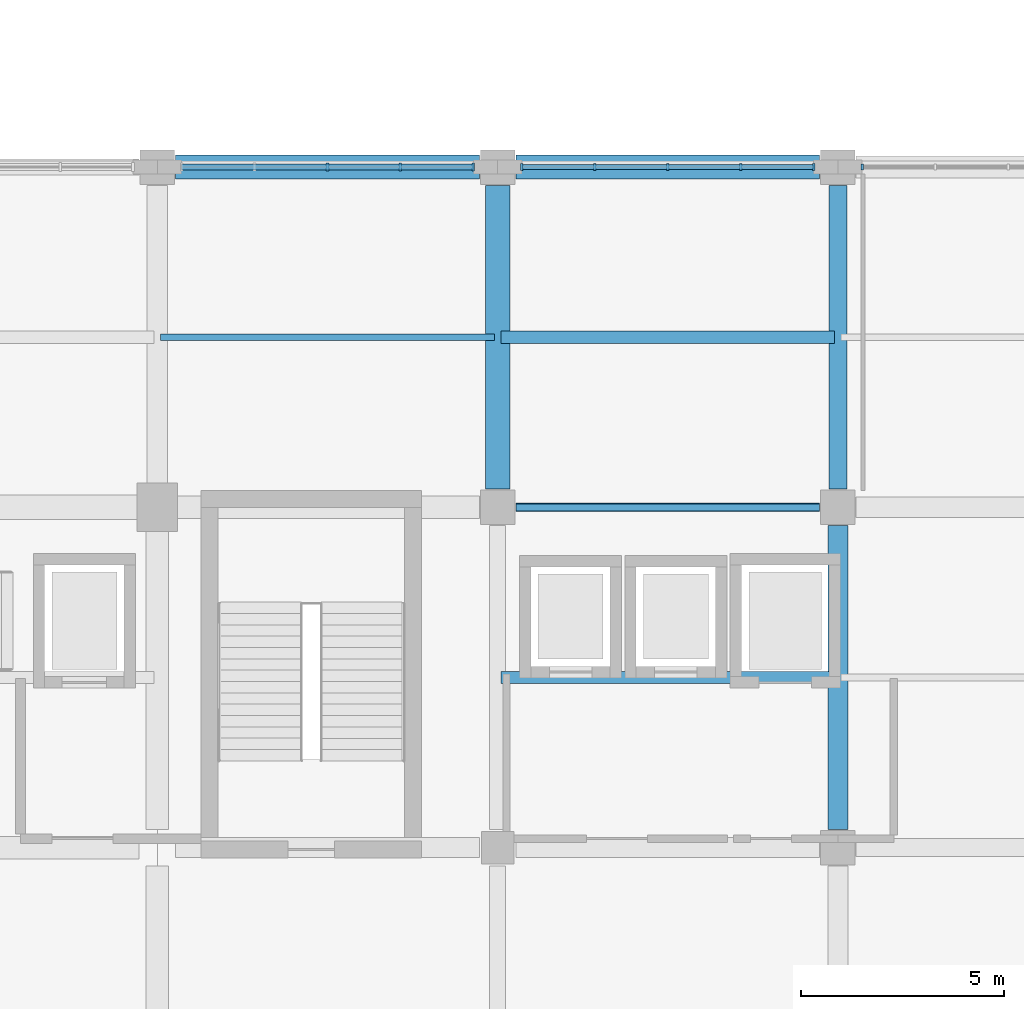
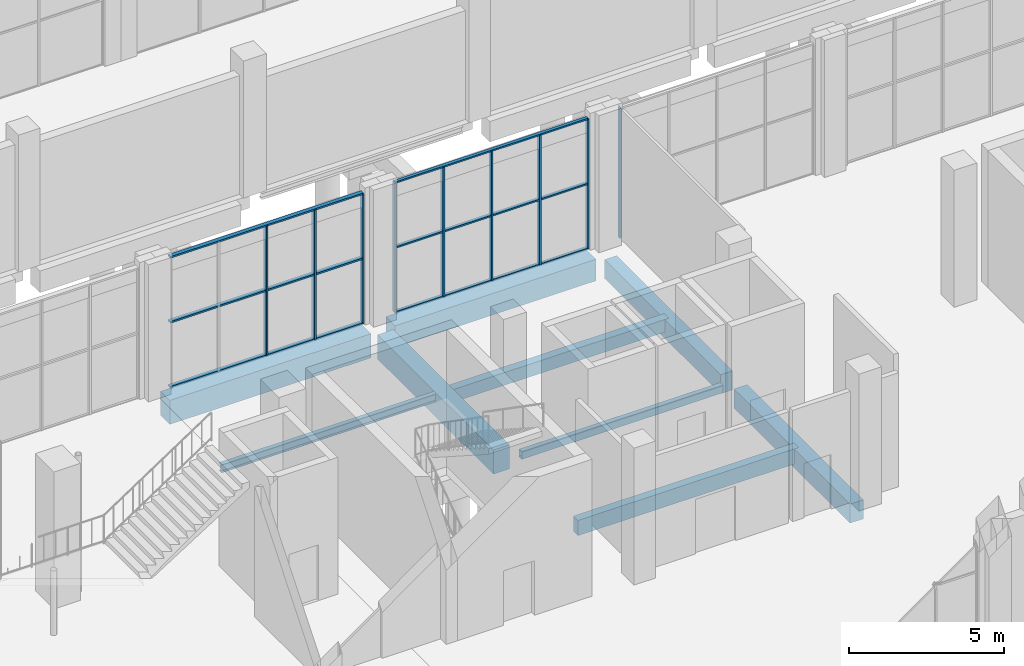
# One storey, part 29 of 82: 15 members, 9 beams, 3 elements without a shape of their own.
"""IFC4 building model written with IfcOpenShell, lengths in metres."""

from ifc_helpers import new_model, si_unit, derived_unit, direction, frame, origin, origin_2d, place, context, subcontext, project, spatial, rectangle, hollow_rectangle, i_section, extrude, material, material_profile, profile_set, type_object, element, aggregate, save


model = new_model("IFC4")

# Units and contexts
model_context = context("Model", 3, precision=1e-05, world=origin(), true_north=direction((0.0, 1.0)))
body_context = subcontext(model_context, "Body", "Model", "MODEL_VIEW")
ifc_project = project(units=[si_unit("LENGTHUNIT", "METRE"), si_unit("AREAUNIT", "SQUARE_METRE"), si_unit("VOLUMEUNIT", "CUBIC_METRE"), si_unit("PLANEANGLEUNIT", "RADIAN"), si_unit("MASSUNIT", "GRAM", prefix="KILO"), derived_unit("THERMALTRANSMITTANCEUNIT", [(si_unit("POWERUNIT", "WATT"), 1), (si_unit("LENGTHUNIT", "METRE"), -2), (si_unit("THERMODYNAMICTEMPERATUREUNIT", "KELVIN"), -1)])], contexts=[model_context])

# Site, building, storey
site_placement = place(None, origin())
site = spatial("IfcSite", under=ifc_project, at=site_placement, CompositionType="ELEMENT")
building_placement = place(site_placement, origin())
building = spatial("IfcBuilding", under=site, at=building_placement, Name="Barrovel Congress Hotel", CompositionType="ELEMENT")
storey_placement = place(building_placement, origin())
storey = spatial("IfcBuildingStorey", under=building, at=storey_placement, Name="L00", CompositionType="ELEMENT", Elevation=0.0)

# Beams
ifc_material_1 = material(Name="Concrete C40", Category="concrete")
ifc_material_profile_1 = material_profile(ifc_material_1, rectangle(XDim=0.300048828125, YDim=0.5, at=origin_2d()), Name="RC300x500")
ifc_profile_set_1 = profile_set([ifc_material_profile_1], Name="Concrete C40")
beam_type_1 = type_object("IfcBeamType", Name="BM-RC300x500", PredefinedType="JOIST", material=ifc_profile_set_1)
beam_1_placement = place(storey_placement, frame((84.080078125, 25.199951171875, -0.570068359375), z_axis=(1.0, 0.0, 0.0), x_axis=(0.0, 1.0, 0.0)))
element("IfcBeam", 1, at=beam_1_placement, inside=storey, type_object=beam_type_1, Name="JST:L00:84.0:25.2", PredefinedType="JOIST", context=body_context, shape_type="SweptSolid", body=[
    extrude(rectangle(XDim=0.300048828125, YDim=0.5, at=origin_2d()), origin(), (0.0, 0.0, 1.0), 8.239990234375),
])
ifc_material_profile_2 = material_profile(ifc_material_1, rectangle(XDim=0.300048828125, YDim=0.60009765625, at=origin_2d()), Name="RC300x600")
ifc_profile_set_2 = profile_set([ifc_material_profile_2], Name="Concrete C40")
beam_type_2 = type_object("IfcBeamType", Name="BM-RC300x600", PredefinedType="JOIST", material=ifc_profile_set_2)
beam_2_placement = place(storey_placement, frame((84.080078125, 16.800048828125, -0.6201171875), z_axis=(1.0, 0.0, 0.0), x_axis=(0.0, 1.0, 0.0)))
element("IfcBeam", 2, at=beam_2_placement, inside=storey, type_object=beam_type_2, Name="JST:L00:84.0:16.8", PredefinedType="JOIST", context=body_context, shape_type="SweptSolid", body=[
    extrude(rectangle(XDim=0.300048828125, YDim=0.60009765625, at=origin_2d()), origin(), (0.0, 0.0, 1.0), 8.239990234375),
])
ifc_material_profile_3 = material_profile(ifc_material_1, rectangle(XDim=0.449951171875, YDim=0.75, at=origin_2d()), Name="RC450x750")
ifc_profile_set_3 = profile_set([ifc_material_profile_3], Name="Concrete C40")
beam_type_3 = type_object("IfcBeamType", Name="BM-RC450x750", PredefinedType="BEAM", material=ifc_profile_set_3)
beam_3_placement = place(storey_placement, frame((92.39990234375, 21.449951171875, -0.695068359375), z_axis=(0.0, 1.0, 0.0), x_axis=(-1.0, 0.0, 0.0)))
element("IfcBeam", 3, at=beam_3_placement, inside=storey, type_object=beam_type_3, Name="BMY:L00:92.4:21.0-29.4", PredefinedType="BEAM", context=body_context, shape_type="SweptSolid", body=[
    extrude(rectangle(XDim=0.449951171875, YDim=0.75, at=origin_2d()), origin(), (0.0, 0.0, 1.0), 7.5),
])
ifc_material_profile_4 = material_profile(ifc_material_1, rectangle(XDim=0.5, YDim=0.75, at=origin_2d()), Name="RC500x750")
ifc_profile_set_4 = profile_set([ifc_material_profile_4], Name="Concrete C40")
beam_type_4 = type_object("IfcBeamType", Name="BM-RC500x750", PredefinedType="BEAM", material=ifc_profile_set_4)
beam_4_placement = place(storey_placement, frame((92.39990234375, 13.050048828125, -0.695068359375), z_axis=(0.0, 1.0, 0.0), x_axis=(-1.0, 0.0, 0.0)))
element("IfcBeam", 4, at=beam_4_placement, inside=storey, type_object=beam_type_4, Name="BMY:L00:92.4:12.6-21.0", PredefinedType="BEAM", context=body_context, shape_type="SweptSolid", body=[
    extrude(rectangle(XDim=0.5, YDim=0.75, at=origin_2d()), origin(), (0.0, 0.0, 1.0), 7.5),
])
ifc_material_profile_5 = material_profile(ifc_material_1, rectangle(XDim=0.60009765625, YDim=0.85009765625, at=origin_2d()), Name="RC600x850")
ifc_profile_set_5 = profile_set([ifc_material_profile_5], Name="Concrete C40")
beam_type_5 = type_object("IfcBeamType", Name="BM-RC600x850", PredefinedType="BEAM", material=ifc_profile_set_5)
beam_5_placement = place(storey_placement, frame((84.449951171875, 29.39990234375, -0.7451171875), z_axis=(1.0, 0.0, 0.0), x_axis=(0.0, 1.0, 0.0)))
element("IfcBeam", 5, at=beam_5_placement, inside=storey, type_object=beam_type_5, Name="BMX:L00:29.4:84.0-92.4", PredefinedType="BEAM", context=body_context, shape_type="SweptSolid", body=[
    extrude(rectangle(XDim=0.60009765625, YDim=0.85009765625, at=origin_2d()), origin(), (0.0, 0.0, 1.0), 7.5),
])
ifc_material_profile_6 = material_profile(ifc_material_1, rectangle(XDim=0.60009765625, YDim=0.949951171875, at=origin_2d()), Name="RC600x950")
ifc_profile_set_6 = profile_set([ifc_material_profile_6], Name="Concrete C40")
beam_type_6 = type_object("IfcBeamType", Name="BM-RC600x950", PredefinedType="BEAM", material=ifc_profile_set_6)
for number, where, z_axis, x_axis, name in (
    (6, (76.050048828125, 29.39990234375, -0.794921875), (1.0, 0.0, 0.0), (0.0, 1.0, 0.0), "BMX:L00:29.4:75.6-84.0"),
    (7, (84.0, 21.449951171875, -0.794921875), (0.0, 1.0, 0.0), (-1.0, 0.0, 0.0), "BMY:L00:84.0:21.0-29.4"),
):
    element("IfcBeam", number, at=place(storey_placement, frame(where, z_axis=z_axis, x_axis=x_axis)), inside=storey, type_object=beam_type_6, Name=name, PredefinedType="BEAM", context=body_context, shape_type="SweptSolid", body=[
        extrude(rectangle(XDim=0.60009765625, YDim=0.949951171875, at=origin_2d()), origin(), (0.0, 0.0, 1.0), 7.5),
    ])

# Curtain wall, member
ifc_material_2 = material(Name="Anodised Aluminium Alloy 6063-T6", Category="aluminium")
curtain_wall_type = type_object("IfcCurtainWallType", Name="CW-ST-7200x4800", PredefinedType="USERDEFINED", material=ifc_material_2)
curtain_wall_1_placement = place(storey_placement, origin())
curtain_wall_1 = element("IfcCurtainWall", 8, at=curtain_wall_1_placement, inside=storey, type_object=curtain_wall_type, Name="CW:L00:CS:11", ObjectType="STICK CURTAIN WALL", PredefinedType="USERDEFINED")
ifc_material_profile_7 = material_profile(ifc_material_2, rectangle(XDim=0.06005859375, YDim=0.139892578125, at=origin_2d()), Name="AL-M60x140")
ifc_profile_set_7 = profile_set([ifc_material_profile_7], Name="Anodised Aluminium Alloy 6063-T6")
member_type_1 = type_object("IfcMemberType", Name="CWM-AL-M60x140", PredefinedType="MULLION", material=ifc_profile_set_7)
member_1_placement = place(storey_placement, frame((93.0, 29.39990234375, 0.0), z_axis=(0.0, 0.0, 1.0), x_axis=(1.0, 0.0, 0.0)))
member_1 = element("IfcMember", 9, at=member_1_placement, type_object=member_type_1, Name="CW:L00:CS:11:M4", PredefinedType="MULLION", context=body_context, shape_type="SweptSolid", body=[
    extrude(rectangle(XDim=0.06005859375, YDim=0.139892578125, at=origin_2d()), origin(), (0.0, 0.0, 1.0), 5.1201171875),
])
aggregate(curtain_wall_1, [member_1])

# Curtain wall, members
curtain_wall_2_placement = place(storey_placement, origin())
curtain_wall_2 = element("IfcCurtainWall", 10, at=curtain_wall_2_placement, inside=storey, type_object=curtain_wall_type, Name="CW:L00:CS:10", ObjectType="STICK CURTAIN WALL", PredefinedType="USERDEFINED")
ifc_material_profile_8 = material_profile(ifc_material_2, rectangle(XDim=0.06005859375, YDim=0.1650390625, at=origin_2d()), Name="AL-M60x165")
ifc_profile_set_8 = profile_set([ifc_material_profile_8], Name="Anodised Aluminium Alloy 6063-T6")
member_type_2 = type_object("IfcMemberType", Name="CWM-AL-M60x165", PredefinedType="MULLION", material=ifc_profile_set_8)
member_2_placement = place(storey_placement, frame((91.800048828125, 29.39990234375, 0.0), z_axis=(0.0, 0.0, 1.0), x_axis=(1.0, 0.0, 0.0)))
member_2 = element("IfcMember", 11, at=member_2_placement, type_object=member_type_2, Name="CW:L00:CS:10:M0", PredefinedType="MULLION", context=body_context, shape_type="SweptSolid", body=[
    extrude(rectangle(XDim=0.06005859375, YDim=0.1650390625, at=origin_2d()), origin(), (0.0, 0.0, 1.0), 5.1201171875),
])
member_3_placement = place(storey_placement, frame((90.0, 29.39990234375, 0.0), z_axis=(0.0, 0.0, 1.0), x_axis=(1.0, 0.0, 0.0)))
member_3 = element("IfcMember", 12, at=member_3_placement, type_object=member_type_2, Name="CW:L00:CS:10:M1", PredefinedType="MULLION", context=body_context, shape_type="SweptSolid", body=[
    extrude(rectangle(XDim=0.06005859375, YDim=0.1650390625, at=origin_2d()), origin(), (0.0, 0.0, 1.0), 5.1201171875),
])
member_4_placement = place(storey_placement, frame((88.199951171875, 29.39990234375, 0.0), z_axis=(0.0, 0.0, 1.0), x_axis=(1.0, 0.0, 0.0)))
member_4 = element("IfcMember", 13, at=member_4_placement, type_object=member_type_2, Name="CW:L00:CS:10:M2", PredefinedType="MULLION", context=body_context, shape_type="SweptSolid", body=[
    extrude(rectangle(XDim=0.06005859375, YDim=0.1650390625, at=origin_2d()), origin(), (0.0, 0.0, 1.0), 5.1201171875),
])
member_5_placement = place(storey_placement, frame((86.39990234375, 29.39990234375, 0.0), z_axis=(0.0, 0.0, 1.0), x_axis=(1.0, 0.0, 0.0)))
member_5 = element("IfcMember", 14, at=member_5_placement, type_object=member_type_2, Name="CW:L00:CS:10:M3", PredefinedType="MULLION", context=body_context, shape_type="SweptSolid", body=[
    extrude(rectangle(XDim=0.06005859375, YDim=0.1650390625, at=origin_2d()), origin(), (0.0, 0.0, 1.0), 5.1201171875),
])
member_6_placement = place(storey_placement, frame((84.60009765625, 29.39990234375, 0.0), z_axis=(0.0, 0.0, 1.0), x_axis=(1.0, 0.0, 0.0)))
member_6 = element("IfcMember", 15, at=member_6_placement, type_object=member_type_2, Name="CW:L00:CS:10:M4", PredefinedType="MULLION", context=body_context, shape_type="SweptSolid", body=[
    extrude(rectangle(XDim=0.06005859375, YDim=0.1650390625, at=origin_2d()), origin(), (0.0, 0.0, 1.0), 5.1201171875),
])

curtain_wall_3_placement = place(storey_placement, origin())
curtain_wall_3 = element("IfcCurtainWall", 16, at=curtain_wall_3_placement, inside=storey, type_object=curtain_wall_type, Name="CW:L00:CS:09", ObjectType="STICK CURTAIN WALL", PredefinedType="USERDEFINED")
ifc_material_profile_9 = material_profile(ifc_material_2, rectangle(XDim=0.06494140625, YDim=0.18994140625, at=origin_2d()), Name="AL-M65x190")
ifc_profile_set_9 = profile_set([ifc_material_profile_9], Name="Anodised Aluminium Alloy 6063-T6")
member_type_3 = type_object("IfcMemberType", Name="CWM-AL-M65x190", PredefinedType="MULLION", material=ifc_profile_set_9)
member_7_placement = place(storey_placement, frame((83.39990234375, 29.39990234375, 0.0), z_axis=(0.0, 0.0, 1.0), x_axis=(1.0, 0.0, 0.0)))
member_7 = element("IfcMember", 17, at=member_7_placement, type_object=member_type_3, Name="CW:L00:CS:09:M0", PredefinedType="MULLION", context=body_context, shape_type="SweptSolid", body=[
    extrude(rectangle(XDim=0.06494140625, YDim=0.18994140625, at=origin_2d()), origin(), (0.0, 0.0, 1.0), 5.1201171875),
])
member_8_placement = place(storey_placement, frame((81.60009765625, 29.39990234375, 0.0), z_axis=(0.0, 0.0, 1.0), x_axis=(1.0, 0.0, 0.0)))
member_8 = element("IfcMember", 18, at=member_8_placement, type_object=member_type_3, Name="CW:L00:CS:09:M1", PredefinedType="MULLION", context=body_context, shape_type="SweptSolid", body=[
    extrude(rectangle(XDim=0.06494140625, YDim=0.18994140625, at=origin_2d()), origin(), (0.0, 0.0, 1.0), 5.1201171875),
])
member_9_placement = place(storey_placement, frame((79.800048828125, 29.39990234375, 0.0), z_axis=(0.0, 0.0, 1.0), x_axis=(1.0, 0.0, 0.0)))
member_9 = element("IfcMember", 19, at=member_9_placement, type_object=member_type_3, Name="CW:L00:CS:09:M2", PredefinedType="MULLION", context=body_context, shape_type="SweptSolid", body=[
    extrude(rectangle(XDim=0.06494140625, YDim=0.18994140625, at=origin_2d()), origin(), (0.0, 0.0, 1.0), 5.1201171875),
])

# Member
ifc_material_profile_10 = material_profile(ifc_material_2, rectangle(XDim=0.125, YDim=0.06005859375, at=origin_2d()), Name="AL-T60x125")
ifc_profile_set_10 = profile_set([ifc_material_profile_10], Name="Anodised Aluminium Alloy 6063-T6")
member_type_4 = type_object("IfcMemberType", Name="CWT-AL-T60x125", PredefinedType="USERDEFINED", material=ifc_profile_set_10)
member_10_placement = place(storey_placement, frame((91.800048828125, 29.39990234375, 0.0), z_axis=(-1.0, 0.0, 0.0), x_axis=(0.0, -1.0, 0.0)))
member_10 = element("IfcMember", 20, at=member_10_placement, type_object=member_type_4, Name="CW:L00:CS:10:T0", ObjectType="TRANSOM", PredefinedType="USERDEFINED", context=body_context, shape_type="SweptSolid", body=[
    extrude(rectangle(XDim=0.125, YDim=0.06005859375, at=origin_2d()), origin(), (0.0, 0.0, 1.0), 7.199951171875),
])

member_11_placement = place(storey_placement, frame((91.800048828125, 29.39990234375, 2.56005859375), z_axis=(-1.0, 0.0, 0.0), x_axis=(0.0, -1.0, 0.0)))
member_11 = element("IfcMember", 21, at=member_11_placement, type_object=member_type_4, Name="CW:L00:CS:10:T1", ObjectType="TRANSOM", PredefinedType="USERDEFINED", context=body_context, shape_type="SweptSolid", body=[
    extrude(rectangle(XDim=0.125, YDim=0.06005859375, at=origin_2d()), origin(), (0.0, 0.0, 1.0), 7.199951171875),
])

member_12_placement = place(storey_placement, frame((91.800048828125, 29.39990234375, 5.1201171875), z_axis=(-1.0, 0.0, 0.0), x_axis=(0.0, -1.0, 0.0)))
member_12 = element("IfcMember", 22, at=member_12_placement, type_object=member_type_4, Name="CW:L00:CS:10:T2", ObjectType="TRANSOM", PredefinedType="USERDEFINED", context=body_context, shape_type="SweptSolid", body=[
    extrude(rectangle(XDim=0.125, YDim=0.06005859375, at=origin_2d()), origin(), (0.0, 0.0, 1.0), 7.199951171875),
])

aggregate(curtain_wall_2, [member_2, member_3, member_4, member_5, member_6, member_10, member_11, member_12])

ifc_material_profile_11 = material_profile(ifc_material_2, rectangle(XDim=0.14990234375, YDim=0.06494140625, at=origin_2d()), Name="AL-T65x150")
ifc_profile_set_11 = profile_set([ifc_material_profile_11], Name="Anodised Aluminium Alloy 6063-T6")
member_type_5 = type_object("IfcMemberType", Name="CWT-AL-T65x150", PredefinedType="USERDEFINED", material=ifc_profile_set_11)
member_13_placement = place(storey_placement, frame((83.39990234375, 29.39990234375, 0.0), z_axis=(-1.0, 0.0, 0.0), x_axis=(0.0, -1.0, 0.0)))
member_13 = element("IfcMember", 23, at=member_13_placement, type_object=member_type_5, Name="CW:L00:CS:09:T0", ObjectType="TRANSOM", PredefinedType="USERDEFINED", context=body_context, shape_type="SweptSolid", body=[
    extrude(rectangle(XDim=0.14990234375, YDim=0.06494140625, at=origin_2d()), origin(), (0.0, 0.0, 1.0), 7.199951171875),
])

member_14_placement = place(storey_placement, frame((83.39990234375, 29.39990234375, 2.56005859375), z_axis=(-1.0, 0.0, 0.0), x_axis=(0.0, -1.0, 0.0)))
member_14 = element("IfcMember", 24, at=member_14_placement, type_object=member_type_5, Name="CW:L00:CS:09:T1", ObjectType="TRANSOM", PredefinedType="USERDEFINED", context=body_context, shape_type="SweptSolid", body=[
    extrude(rectangle(XDim=0.14990234375, YDim=0.06494140625, at=origin_2d()), origin(), (0.0, 0.0, 1.0), 7.199951171875),
])

member_15_placement = place(storey_placement, frame((83.39990234375, 29.39990234375, 5.1201171875), z_axis=(-1.0, 0.0, 0.0), x_axis=(0.0, -1.0, 0.0)))
member_15 = element("IfcMember", 25, at=member_15_placement, type_object=member_type_5, Name="CW:L00:CS:09:T2", ObjectType="TRANSOM", PredefinedType="USERDEFINED", context=body_context, shape_type="SweptSolid", body=[
    extrude(rectangle(XDim=0.14990234375, YDim=0.06494140625, at=origin_2d()), origin(), (0.0, 0.0, 1.0), 7.199951171875),
])

aggregate(curtain_wall_3, [member_7, member_8, member_9, member_13, member_14, member_15])

# Beams
ifc_material_3 = material(Name="Steel ASTM A500 Grade C", Category="steel")
ifc_material_profile_12 = material_profile(ifc_material_3, hollow_rectangle(XDim=0.203125, YDim=0.3046875, WallThickness=0.01171875, InnerFilletRadius=0.01171875, OuterFilletRadius=0.023681640625, at=origin_2d()), Name="HSS305x203x12.7")
ifc_profile_set_12 = profile_set([ifc_material_profile_12], Name="Steel ASTM A500 Grade C")
beam_type_7 = type_object("IfcBeamType", Name="SBM-HSS305x203x12.7", PredefinedType="SPANDREL", material=ifc_profile_set_12)
beam_6_placement = place(storey_placement, frame((84.449951171875, 21.0, -0.472412109375), z_axis=(1.0, 0.0, 0.0), x_axis=(0.0, 1.0, 0.0)))
element("IfcBeam", 26, at=beam_6_placement, inside=storey, type_object=beam_type_7, Name="BMX:L00:21.0:84.0-92.4", PredefinedType="SPANDREL", context=body_context, shape_type="SweptSolid", body=[
    extrude(hollow_rectangle(XDim=0.203125, YDim=0.3046875, WallThickness=0.01171875, InnerFilletRadius=0.01171875, OuterFilletRadius=0.023681640625, at=origin_2d()), origin(), (0.0, 0.0, 1.0), 7.5),
])
ifc_material_4 = material(Name="Steel ASTM A992 Grade 50", Category="steel")
ifc_material_profile_13 = material_profile(ifc_material_4, i_section(OverallWidth=0.1669921875, OverallDepth=0.31689453125, WebThickness=0.007568359375, FlangeThickness=0.01318359375, FilletRadius=0.010986328125, at=origin_2d()), Name="W310x52")
ifc_profile_set_13 = profile_set([ifc_material_profile_13], Name="Steel ASTM A992 Grade 50")
beam_type_8 = type_object("IfcBeamType", Name="SBM-W310x52", PredefinedType="JOIST", material=ifc_profile_set_13)
beam_7_placement = place(storey_placement, frame((75.679931640625, 25.199951171875, -0.478515625), z_axis=(1.0, 0.0, 0.0), x_axis=(0.0, 1.0, 0.0)))
element("IfcBeam", 27, at=beam_7_placement, inside=storey, type_object=beam_type_8, Name="JST:L00:75.6:25.2", PredefinedType="JOIST", context=body_context, shape_type="SweptSolid", body=[
    extrude(i_section(OverallWidth=0.1669921875, OverallDepth=0.31689453125, WebThickness=0.007568359375, FlangeThickness=0.01318359375, FilletRadius=0.010986328125, at=origin_2d()), origin(), (0.0, 0.0, 1.0), 8.239990234375),
])

save(model, "model.ifc")
